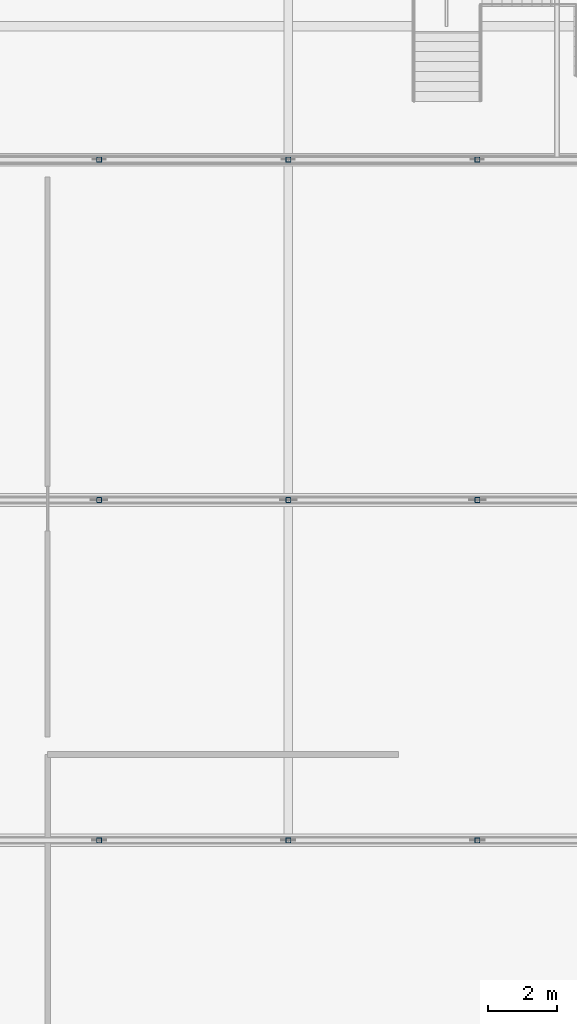
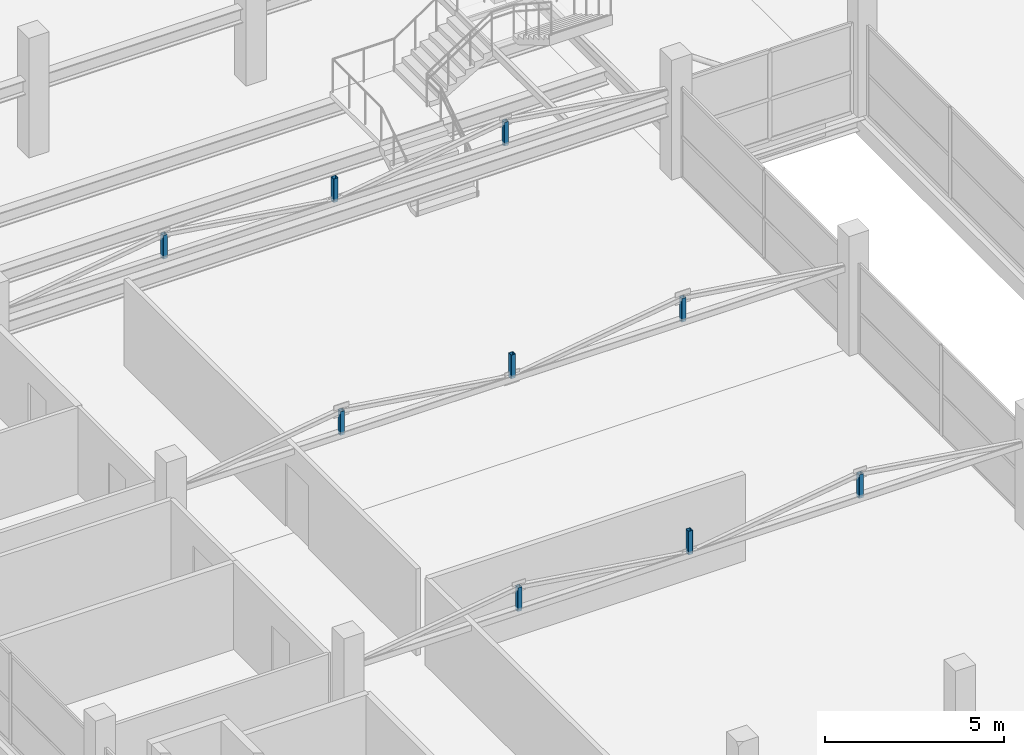
# One storey, part 52 of 70: 9 members.
"""IFC4 building model written with IfcOpenShell, lengths in metres."""

from ifc_helpers import new_model, si_unit, direction, frame, origin, origin_2d, place, context, subcontext, project, spatial, hollow_rectangle, extrude, material, material_profile, profile_set, type_object, element, save


model = new_model("IFC4")

# Units and contexts
model_context = context("Model", 3, precision=1e-05, world=origin(), true_north=direction((0.0, 1.0)))
body_context = subcontext(model_context, "Body", "Model", "MODEL_VIEW")
ifc_project = project(units=[si_unit("LENGTHUNIT", "METRE"), si_unit("AREAUNIT", "SQUARE_METRE"), si_unit("VOLUMEUNIT", "CUBIC_METRE"), si_unit("PLANEANGLEUNIT", "RADIAN"), si_unit("MASSUNIT", "GRAM", prefix="KILO")], contexts=[model_context])

# Site, building, storey
site_placement = place(None, origin())
site = spatial("IfcSite", under=ifc_project, at=site_placement, CompositionType="ELEMENT")
building_placement = place(site_placement, origin())
building = spatial("IfcBuilding", under=site, at=building_placement, Name="Sillaruma Civic Art Gallery", CompositionType="ELEMENT")
storey_placement = place(building_placement, frame((0.0, 0.0, 66.300048828125)))
storey = spatial("IfcBuildingStorey", under=building, at=storey_placement, Name="L13", CompositionType="ELEMENT", Elevation=66.300048828125)

# Members
ifc_material = material(Name="Structural Steel ASTM A500 Gr.C", Category="steel")
ifc_material_profile = material_profile(ifc_material, hollow_rectangle(XDim=0.14990234375, YDim=0.14990234375, WallThickness=0.010009765625, InnerFilletRadius=0.010009765625, OuterFilletRadius=0.02001953125, at=origin_2d()), Name="HSS150x150x10")
ifc_profile_set = profile_set([ifc_material_profile], Name="Structural Steel ASTM A500 Gr.C")
member_type = type_object("IfcMemberType", Name="MEM-POST-HSS150x150x10", PredefinedType="POST", material=ifc_profile_set)
for number, where, z_axis, x_axis, name in (
    (1, (75.5, 49.5, 2.83984375), (0.0, 0.0, 1.0), (1.0, 0.0, 0.0), "Warren Truss Vertical Post TR-L13-1-V1"),
    (2, (81.0, 49.5, 2.83984375), (0.0, 0.0, 1.0), (1.0, 0.0, 0.0), "Warren Truss Vertical Post TR-L13-1-V2"),
    (3, (86.5, 49.5, 2.83984375), (0.0, 0.0, 1.0), (1.0, 0.0, 0.0), "Warren Truss Vertical Post TR-L13-1-V3"),
    (4, (75.5, 59.39990234375, 2.83984375), (0.0, 0.0, 1.0), (1.0, 0.0, 0.0), "Warren Truss Vertical Post TR-L13-2-V1"),
    (5, (81.0, 59.39990234375, 2.83984375), (0.0, 0.0, 1.0), (1.0, 0.0, 0.0), "Warren Truss Vertical Post TR-L13-2-V2"),
    (6, (86.5, 59.39990234375, 2.83984375), (0.0, 0.0, 1.0), (1.0, 0.0, 0.0), "Warren Truss Vertical Post TR-L13-2-V3"),
    (7, (75.5, 69.300048828125, 2.83984375), (0.0, 0.0, 1.0), (1.0, 0.0, 0.0), "Warren Truss Vertical Post TR-L13-3-V1"),
    (8, (81.0, 69.300048828125, 2.83984375), (0.0, 0.0, 1.0), (1.0, 0.0, 0.0), "Warren Truss Vertical Post TR-L13-3-V2"),
    (9, (86.5, 69.300048828125, 2.83984375), (0.0, 0.0, 1.0), (1.0, 0.0, 0.0), "Warren Truss Vertical Post TR-L13-3-V3"),
):
    element("IfcMember", number, at=place(storey_placement, frame(where, z_axis=z_axis, x_axis=x_axis)), inside=storey, type_object=member_type, Name=name, PredefinedType="POST", context=body_context, shape_type="SweptSolid", body=[
        extrude(hollow_rectangle(XDim=0.14990234375, YDim=0.14990234375, WallThickness=0.010009765625, InnerFilletRadius=0.010009765625, OuterFilletRadius=0.02001953125, at=origin_2d()), origin(), (0.0, 0.0, 1.0), 0.80810546875),
    ])

save(model, "model.ifc")
